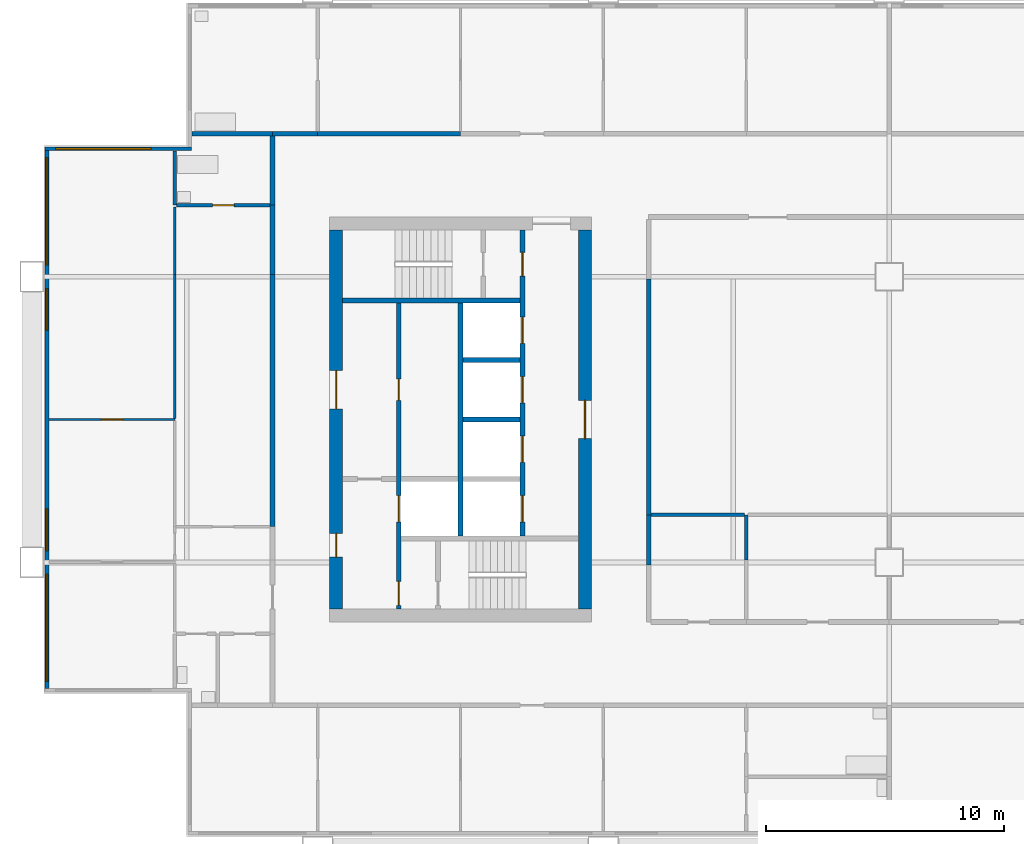
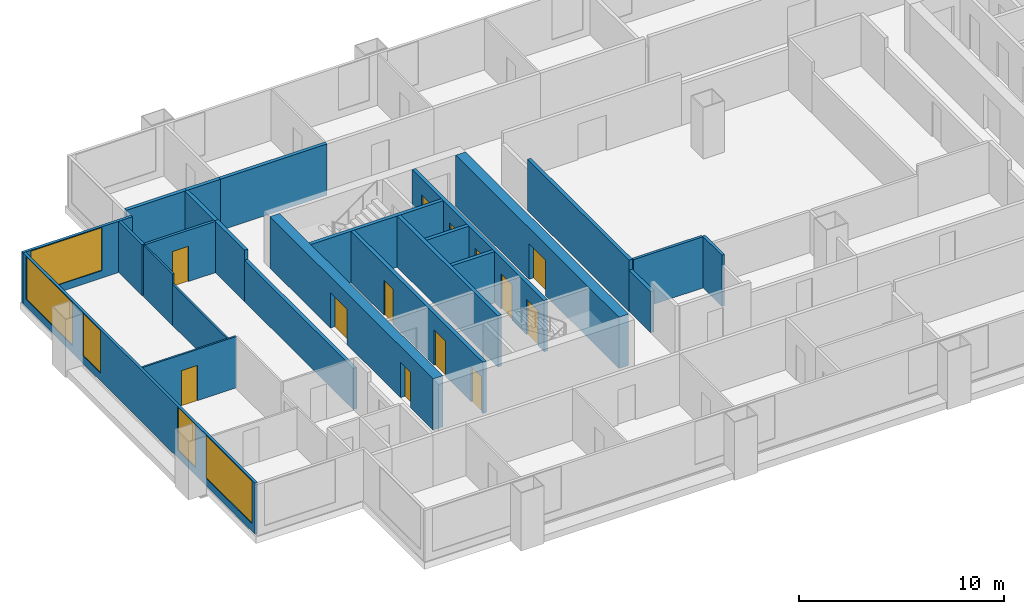
# One storey, part 3 of 8: 25 walls, 13 doors, 5 windows, 18 openings.
"""IFC4 building model written with IfcOpenShell, lengths in metres."""

from ifc_helpers import new_model, si_unit, direction, frame, frame_2d, origin, place, context, subcontext, project, spatial, rectangle, extrude, material, layer, layer_set, type_object, element, fill, save


model = new_model("IFC4")

# Units and contexts
model_context = context("Model", 3, precision=1e-05, world=origin(), true_north=direction((0.0, 1.0)))
body_context = subcontext(model_context, "Body", "Model", "MODEL_VIEW")
ifc_project = project(units=[si_unit("LENGTHUNIT", "METRE"), si_unit("AREAUNIT", "SQUARE_METRE"), si_unit("VOLUMEUNIT", "CUBIC_METRE"), si_unit("PLANEANGLEUNIT", "RADIAN"), si_unit("MASSUNIT", "GRAM", prefix="KILO")], contexts=[model_context])

# Site, building, storey
site_placement = place(None, origin())
site = spatial("IfcSite", under=ifc_project, at=site_placement, CompositionType="ELEMENT")
building_placement = place(site_placement, origin())
building = spatial("IfcBuilding", under=site, at=building_placement, Name="Kitamizu Gate Tower and Museum", CompositionType="ELEMENT")
storey_placement = place(building_placement, frame((0.0, 0.0, 161.699951171875)))
storey = spatial("IfcBuildingStorey", under=building, at=storey_placement, Name="L42", CompositionType="ELEMENT", Elevation=161.699951171875)

# Wall, openings, doors
ifc_material_1 = material(Name="Concrete Fc42", Category="concrete")
ifc_layer_1 = layer(ifc_material_1, 0.550048828125)
ifc_layer_set_1 = layer_set([ifc_layer_1], Name="Concrete Fc42")
wall_type_1 = type_object("IfcWallType", Name="Core wall 550", PredefinedType="SHEAR", material=ifc_layer_set_1)
wall_1_placement = place(storey_placement, frame((12.77490234375, 22.050048828125, 0.0), z_axis=(0.0, 0.0, 1.0), x_axis=(0.0, 1.0, 0.0)))
wall_1 = element("IfcWall", 1, at=wall_1_placement, inside=storey, type_object=wall_type_1, Name="Core wall WOUT", PredefinedType="SHEAR", context=body_context, shape_type="SweptSolid", body=[
    extrude(rectangle(XDim=15.89990234375, YDim=0.550048828125, at=frame_2d((7.949951171875, 0.0))), origin(), (0.0, 0.0, 1.0), 3.050048828125),
])
opening_1_placement = place(wall_1_placement, frame((8.39990234375, 0.0, 0.0)))
opening_1 = element("IfcOpeningElement", 2, at=opening_1_placement, cuts=wall_1, Name="Opening L42-032", PredefinedType="OPENING", context=body_context, shape_type="SweptSolid", body=[
    extrude(rectangle(XDim=1.60009765625, YDim=2.10009765625, at=frame_2d((0.800048828125, 1.050048828125))), frame((0.0, 0.28515625, 0.0), z_axis=(0.0, -1.0, 0.0), x_axis=(1.0, 0.0, 0.0)), (0.0, 0.0, 1.0), 0.570068359375),
])
opening_2_placement = place(wall_1_placement, frame((2.175048828125, 0.0, 0.0)))
opening_2 = element("IfcOpeningElement", 3, at=opening_2_placement, cuts=wall_1, Name="Opening L42-033", PredefinedType="OPENING", context=body_context, shape_type="SweptSolid", body=[
    extrude(rectangle(XDim=1.0, YDim=2.10009765625, at=frame_2d((0.5, 1.050048828125))), frame((0.0, 0.28515625, 0.0), z_axis=(0.0, -1.0, 0.0), x_axis=(1.0, 0.0, 0.0)), (0.0, 0.0, 1.0), 0.570068359375),
])
ifc_material_2 = material(Name="Timber door set", Category="wood")
door_type_1 = type_object("IfcDoorType", Name="Entrance door 1600", OperationType="DOUBLE_DOOR_SINGLE_SWING", PredefinedType="DOOR", material=ifc_material_2)
door_1_placement = place(opening_1_placement, origin())
door_1 = element("IfcDoor", 4, at=door_1_placement, inside=storey, type_object=door_type_1, Name="Lobby door L42-032", OperationType="DOUBLE_DOOR_SINGLE_SWING", OverallHeight=2.10009765625, OverallWidth=1.60009765625, PredefinedType="DOOR", context=body_context, shape_type="SweptSolid", body=[
    extrude(rectangle(XDim=1.60009765625, YDim=2.10009765625, at=frame_2d((0.800048828125, 1.050048828125))), frame((0.0, 0.02490234375, 0.0), z_axis=(0.0, -1.0, 0.0), x_axis=(1.0, 0.0, 0.0)), (0.0, 0.0, 1.0), 0.050048828125),
])
fill(opening_1, door_1)
ifc_material_3 = material(Name="Hollow metal door set")
door_type_2 = type_object("IfcDoorType", Name="Fire door 1000", OperationType="NOTDEFINED", PredefinedType="DOOR", material=ifc_material_3)
door_2_placement = place(opening_2_placement, frame((1.0, 0.0, 0.0), x_axis=(-1.0, 0.0, 0.0)))
door_2 = element("IfcDoor", 5, at=door_2_placement, inside=storey, type_object=door_type_2, Name="Fire-fighting lobby door L42-033", OperationType="SINGLE_SWING_LEFT", OverallHeight=2.10009765625, OverallWidth=1.0, PredefinedType="DOOR", context=body_context, shape_type="SweptSolid", body=[
    extrude(rectangle(XDim=1.0, YDim=2.10009765625, at=frame_2d((0.5, 1.050048828125))), frame((0.0, 0.02490234375, 0.0), z_axis=(0.0, -1.0, 0.0), x_axis=(1.0, 0.0, 0.0)), (0.0, 0.0, 1.0), 0.050048828125),
])
fill(opening_2, door_2)

# Wall, opening, door
wall_2_placement = place(storey_placement, frame((23.22509765625, 22.050048828125, 0.0), z_axis=(0.0, 0.0, 1.0), x_axis=(0.0, 1.0, 0.0)))
wall_2 = element("IfcWall", 6, at=wall_2_placement, inside=storey, type_object=wall_type_1, Name="Core wall WARC", PredefinedType="SHEAR", context=body_context, shape_type="SweptSolid", body=[
    extrude(rectangle(XDim=15.89990234375, YDim=0.550048828125, at=frame_2d((7.949951171875, 0.0))), origin(), (0.0, 0.0, 1.0), 3.050048828125),
])
opening_3_placement = place(wall_2_placement, frame((7.14990234375, 0.0, 0.0)))
opening_3 = element("IfcOpeningElement", 7, at=opening_3_placement, cuts=wall_2, Name="Opening L42-035", PredefinedType="OPENING", context=body_context, shape_type="SweptSolid", body=[
    extrude(rectangle(XDim=1.60009765625, YDim=2.10009765625, at=frame_2d((0.800048828125, 1.050048828125))), frame((0.0, 0.28515625, 0.0), z_axis=(0.0, -1.0, 0.0), x_axis=(1.0, 0.0, 0.0)), (0.0, 0.0, 1.0), 0.570068359375),
])
door_3_placement = place(opening_3_placement, origin())
door_3 = element("IfcDoor", 8, at=door_3_placement, inside=storey, type_object=door_type_1, Name="Lobby door L42-035", OperationType="DOUBLE_DOOR_SINGLE_SWING", OverallHeight=2.10009765625, OverallWidth=1.60009765625, PredefinedType="DOOR", context=body_context, shape_type="SweptSolid", body=[
    extrude(rectangle(XDim=1.60009765625, YDim=2.10009765625, at=frame_2d((0.800048828125, 1.050048828125))), frame((0.0, 0.02490234375, 0.0), z_axis=(0.0, -1.0, 0.0), x_axis=(1.0, 0.0, 0.0)), (0.0, 0.0, 1.0), 0.050048828125),
])
fill(opening_3, door_3)

ifc_material_4 = material(Name="Gypsum board on galvanised stud")
ifc_layer_2 = layer(ifc_material_4, 0.10009765625)
ifc_layer_set_2 = layer_set([ifc_layer_2], Name="Gypsum board on galvanised stud")
wall_type_2 = type_object("IfcWallType", Name="Partition 100 NOT RATED", PredefinedType="PARTITIONING", material=ifc_layer_set_2)
wall_3_placement = place(storey_placement, frame((6.0, 30.0, 0.0), z_axis=(0.0, 0.0, 1.0), x_axis=(-1.0, 0.0, 0.0)))
wall_3 = element("IfcWall", 9, at=wall_3_placement, inside=storey, type_object=wall_type_2, Name="Partition L42-030", PredefinedType="PARTITIONING", context=body_context, shape_type="SweptSolid", body=[
    extrude(rectangle(XDim=5.280029296875, YDim=0.10009765625, at=frame_2d((2.64013671875, 0.0))), origin(), (0.0, 0.0, 1.0), 3.050048828125),
])
opening_4_placement = place(wall_3_placement, frame((2.18994140625, 0.0, 0.0)))
opening_4 = element("IfcOpeningElement", 10, at=opening_4_placement, cuts=wall_3, Name="Opening L42-015", PredefinedType="OPENING", context=body_context, shape_type="SweptSolid", body=[
    extrude(rectangle(XDim=0.89990234375, YDim=2.10009765625, at=frame_2d((0.449951171875, 1.050048828125))), frame((0.0, 0.06005859375, 0.0), z_axis=(0.0, -1.0, 0.0), x_axis=(1.0, 0.0, 0.0)), (0.0, 0.0, 1.0), 0.1201171875),
])
ifc_material_5 = material(Name="Timber door set", Category="wood")
door_type_3 = type_object("IfcDoorType", Name="Room door 900", OperationType="NOTDEFINED", PredefinedType="DOOR", material=ifc_material_5)
door_4_placement = place(opening_4_placement, origin())
door_4 = element("IfcDoor", 11, at=door_4_placement, inside=storey, type_object=door_type_3, Name="Door L42-015", OperationType="SINGLE_SWING_RIGHT", OverallHeight=2.10009765625, OverallWidth=0.89990234375, PredefinedType="DOOR", context=body_context, shape_type="SweptSolid", body=[
    extrude(rectangle(XDim=0.89990234375, YDim=2.10009765625, at=frame_2d((0.449951171875, 1.050048828125))), frame((0.0, 0.02490234375, 0.0), z_axis=(0.0, -1.0, 0.0), x_axis=(1.0, 0.0, 0.0)), (0.0, 0.0, 1.0), 0.050048828125),
])
fill(opening_4, door_4)

# Walls
wall_4_placement = place(storey_placement, frame((6.0, 30.050048828125, 0.0), z_axis=(0.0, 0.0, 1.0), x_axis=(0.0, 1.0, 0.0)))
element("IfcWall", 12, at=wall_4_placement, inside=storey, type_object=wall_type_2, Name="Partition L42-033", PredefinedType="PARTITIONING", context=body_context, shape_type="SweptSolid", body=[
    extrude(rectangle(XDim=6.050048828125, YDim=0.10009765625, at=frame_2d((3.02490234375, 0.0))), origin(), (0.0, 0.0, 1.0), 2.449951171875),
])
wall_5_placement = place(storey_placement, frame((6.0, 36.10009765625, 0.0), z_axis=(0.0, 0.0, 1.0), x_axis=(0.0, 1.0, 0.0)))
element("IfcWall", 13, at=wall_5_placement, inside=storey, type_object=wall_type_2, Name="Partition L42-034", PredefinedType="PARTITIONING", context=body_context, shape_type="SweptSolid", body=[
    extrude(rectangle(XDim=2.824951171875, YDim=0.10009765625, at=frame_2d((1.41259765625, 0.0))), origin(), (0.0, 0.0, 1.0), 3.050048828125),
])
ifc_material_6 = material(Name="Gypsum board on galvanised stud")
ifc_layer_3 = layer(ifc_material_6, 0.14990234375)
ifc_layer_set_3 = layer_set([ifc_layer_3], Name="Gypsum board on galvanised stud")
wall_type_3 = type_object("IfcWallType", Name="Partition 150", PredefinedType="PARTITIONING", material=ifc_layer_set_3)
wall_6_placement = place(storey_placement, frame((6.0, 39.0, 0.0), z_axis=(0.0, 0.0, 1.0), x_axis=(0.0, 1.0, 0.0)))
element("IfcWall", 14, at=wall_6_placement, inside=storey, type_object=wall_type_3, Name="Partition L42-035", PredefinedType="PARTITIONING", context=body_context, shape_type="SweptSolid", body=[
    extrude(rectangle(XDim=2.280029296875, YDim=0.14990234375, at=frame_2d((1.14013671875, 0.0))), origin(), (0.0, 0.0, 1.0), 3.050048828125),
])

# Wall, opening, door
wall_7_placement = place(storey_placement, frame((10.0, 39.0, 0.0), z_axis=(0.0, 0.0, 1.0), x_axis=(-1.0, 0.0, 0.0)))
wall_7 = element("IfcWall", 15, at=wall_7_placement, inside=storey, type_object=wall_type_3, Name="Partition L42-043", PredefinedType="PARTITIONING", context=body_context, shape_type="SweptSolid", body=[
    extrude(rectangle(XDim=3.925048828125, YDim=0.14990234375, at=frame_2d((1.96240234375, 0.0))), origin(), (0.0, 0.0, 1.0), 3.050048828125),
])
opening_5_placement = place(wall_7_placement, frame((1.512451171875, 0.0, 0.0)))
opening_5 = element("IfcOpeningElement", 16, at=opening_5_placement, cuts=wall_7, Name="Opening L42-019", PredefinedType="OPENING", context=body_context, shape_type="SweptSolid", body=[
    extrude(rectangle(XDim=0.89990234375, YDim=2.10009765625, at=frame_2d((0.449951171875, 1.050048828125))), frame((0.0, 0.0849609375, 0.0), z_axis=(0.0, -1.0, 0.0), x_axis=(1.0, 0.0, 0.0)), (0.0, 0.0, 1.0), 0.169921875),
])
ifc_material_7 = material(Name="Timber door set", Category="wood")
door_type_4 = type_object("IfcDoorType", Name="Bathroom door 900", OperationType="NOTDEFINED", PredefinedType="DOOR", material=ifc_material_7)
door_5_placement = place(opening_5_placement, frame((0.89990234375, 0.0, 0.0), x_axis=(-1.0, 0.0, 0.0)))
door_5 = element("IfcDoor", 17, at=door_5_placement, inside=storey, type_object=door_type_4, Name="Bathroom door L42-019", OperationType="SINGLE_SWING_LEFT", OverallHeight=2.10009765625, OverallWidth=0.89990234375, PredefinedType="DOOR", context=body_context, shape_type="SweptSolid", body=[
    extrude(rectangle(XDim=0.89990234375, YDim=2.10009765625, at=frame_2d((0.449951171875, 1.050048828125))), frame((0.0, 0.02490234375, 0.0), z_axis=(0.0, -1.0, 0.0), x_axis=(1.0, 0.0, 0.0)), (0.0, 0.0, 1.0), 0.050048828125),
])
fill(opening_5, door_5)

# Walls
wall_8_placement = place(storey_placement, frame((30.0, 24.10009765625, 0.0), z_axis=(0.0, 0.0, 1.0), x_axis=(0.0, 1.0, 0.0)))
element("IfcWall", 18, at=wall_8_placement, inside=storey, type_object=wall_type_3, Name="Partition L42-064", PredefinedType="PARTITIONING", context=body_context, shape_type="SweptSolid", body=[
    extrude(rectangle(XDim=1.89990234375, YDim=0.14990234375, at=frame_2d((0.949951171875, 0.0))), origin(), (0.0, 0.0, 1.0), 3.050048828125),
])
wall_9_placement = place(storey_placement, frame((29.925048828125, 26.0, 0.0), z_axis=(0.0, 0.0, 1.0), x_axis=(-1.0, 0.0, 0.0)))
element("IfcWall", 19, at=wall_9_placement, inside=storey, type_object=wall_type_3, Name="Partition L42-065", PredefinedType="PARTITIONING", context=body_context, shape_type="SweptSolid", body=[
    extrude(rectangle(XDim=3.925048828125, YDim=0.14990234375, at=frame_2d((1.96240234375, 0.0))), origin(), (0.0, 0.0, 1.0), 3.050048828125),
])
ifc_material_8 = material(Name="Gypsum board on galvanised stud")
ifc_layer_4 = layer(ifc_material_8, 0.199951171875)
ifc_layer_set_4 = layer_set([ifc_layer_4], Name="Gypsum board on galvanised stud")
wall_type_4 = type_object("IfcWallType", Name="Partition 200", PredefinedType="PARTITIONING", material=ifc_layer_set_4)
wall_10_placement = place(storey_placement, frame((6.719970703125, 42.0, 0.0), z_axis=(0.0, 0.0, 1.0), x_axis=(1.0, 0.0, 0.0)))
element("IfcWall", 20, at=wall_10_placement, inside=storey, type_object=wall_type_4, Name="Partition L42-017", PredefinedType="PARTITIONING", context=body_context, shape_type="SweptSolid", body=[
    extrude(rectangle(XDim=3.380126953125, YDim=0.199951171875, at=frame_2d((1.68994140625, 0.0))), origin(), (0.0, 0.0, 1.0), 3.050048828125),
])
wall_11_placement = place(storey_placement, frame((10.10009765625, 42.0, 0.0), z_axis=(0.0, 0.0, 1.0), x_axis=(1.0, 0.0, 0.0)))
element("IfcWall", 21, at=wall_11_placement, inside=storey, type_object=wall_type_4, Name="Partition L42-018", PredefinedType="PARTITIONING", context=body_context, shape_type="SweptSolid", body=[
    extrude(rectangle(XDim=1.89990234375, YDim=0.199951171875, at=frame_2d((0.949951171875, 0.0))), origin(), (0.0, 0.0, 1.0), 3.050048828125),
])
wall_12_placement = place(storey_placement, frame((12.0, 42.0, 0.0), z_axis=(0.0, 0.0, 1.0), x_axis=(1.0, 0.0, 0.0)))
element("IfcWall", 22, at=wall_12_placement, inside=storey, type_object=wall_type_4, Name="Partition L42-020", PredefinedType="PARTITIONING", context=body_context, shape_type="SweptSolid", body=[
    extrude(rectangle(XDim=6.0, YDim=0.199951171875, at=frame_2d((3.0, 0.0))), origin(), (0.0, 0.0, 1.0), 3.050048828125),
])
wall_13_placement = place(storey_placement, frame((10.10009765625, 25.5, 0.0), z_axis=(0.0, 0.0, 1.0), x_axis=(0.0, 1.0, 0.0)))
element("IfcWall", 23, at=wall_13_placement, inside=storey, type_object=wall_type_4, Name="Partition L42-044", PredefinedType="PARTITIONING", context=body_context, shape_type="SweptSolid", body=[
    extrude(rectangle(XDim=10.60009765625, YDim=0.199951171875, at=frame_2d((5.300048828125, 0.0))), origin(), (0.0, 0.0, 1.0), 2.449951171875),
])
for number, where, z_axis, x_axis, name in (
    (24, (10.10009765625, 36.10009765625, 0.0), (0.0, 0.0, 1.0), (0.0, 1.0, 0.0), "Partition L42-045"),
    (25, (10.10009765625, 39.0, 0.0), (0.0, 0.0, 1.0), (0.0, 1.0, 0.0), "Partition L42-046"),
):
    element("IfcWall", number, at=place(storey_placement, frame(where, z_axis=z_axis, x_axis=x_axis)), inside=storey, type_object=wall_type_4, Name=name, PredefinedType="PARTITIONING", context=body_context, shape_type="SweptSolid", body=[
        extrude(rectangle(XDim=2.89990234375, YDim=0.199951171875, at=frame_2d((1.449951171875, 0.0))), origin(), (0.0, 0.0, 1.0), 3.050048828125),
    ])
wall_14_placement = place(storey_placement, frame((25.89990234375, 26.0, 0.0), z_axis=(0.0, 0.0, 1.0), x_axis=(0.0, -1.0, 0.0)))
element("IfcWall", 26, at=wall_14_placement, inside=storey, type_object=wall_type_4, Name="Partition L42-049", PredefinedType="PARTITIONING", context=body_context, shape_type="SweptSolid", body=[
    extrude(rectangle(XDim=2.10009765625, YDim=0.199951171875, at=frame_2d((1.050048828125, 0.0))), origin(), (0.0, 0.0, 1.0), 2.449951171875),
])
wall_15_placement = place(storey_placement, frame((25.89990234375, 35.89990234375, 0.0), z_axis=(0.0, 0.0, 1.0), x_axis=(0.0, -1.0, 0.0)))
element("IfcWall", 27, at=wall_15_placement, inside=storey, type_object=wall_type_4, Name="Partition L42-059", PredefinedType="PARTITIONING", context=body_context, shape_type="SweptSolid", body=[
    extrude(rectangle(XDim=9.89990234375, YDim=0.199951171875, at=frame_2d((4.949951171875, 0.0))), origin(), (0.0, 0.0, 1.0), 3.050048828125),
])

# Wall, openings, doors
ifc_material_9 = material(Name="Concrete Fc42", Category="concrete")
ifc_layer_5 = layer(ifc_material_9, 0.199951171875)
ifc_layer_set_5 = layer_set([ifc_layer_5], Name="Concrete Fc42")
wall_type_5 = type_object("IfcWallType", Name="Shaft wall 200", PredefinedType="SOLIDWALL", material=ifc_layer_set_5)
wall_16_placement = place(storey_placement, frame((15.39990234375, 22.050048828125, 0.0), z_axis=(0.0, 0.0, 1.0), x_axis=(0.0, 1.0, 0.0)))
wall_16 = element("IfcWall", 28, at=wall_16_placement, inside=storey, type_object=wall_type_5, Name="Shaft wall WWEST", PredefinedType="SOLIDWALL", context=body_context, shape_type="SweptSolid", body=[
    extrude(rectangle(XDim=12.849853515625, YDim=0.199951171875, at=frame_2d((6.4248046875, 0.0))), origin(), (0.0, 0.0, 1.0), 3.050048828125),
])
opening_6_placement = place(wall_16_placement, frame((3.64990234375, 0.0, 0.0)))
opening_6 = element("IfcOpeningElement", 29, at=opening_6_placement, cuts=wall_16, Name="Opening LD", PredefinedType="OPENING", context=body_context, shape_type="SweptSolid", body=[
    extrude(rectangle(XDim=1.10009765625, YDim=2.10009765625, at=frame_2d((0.550048828125, 1.050048828125))), frame((0.0, 0.10986328125, 0.0), z_axis=(0.0, -1.0, 0.0), x_axis=(1.0, 0.0, 0.0)), (0.0, 0.0, 1.0), 0.219970703125),
])
opening_7_placement = place(wall_16_placement, frame((0.14990234375, 0.0, 0.0)))
opening_7 = element("IfcOpeningElement", 30, at=opening_7_placement, cuts=wall_16, Name="Opening L42-028", PredefinedType="OPENING", context=body_context, shape_type="SweptSolid", body=[
    extrude(rectangle(XDim=1.0, YDim=2.10009765625, at=frame_2d((0.5, 1.050048828125))), frame((0.0, 0.10986328125, 0.0), z_axis=(0.0, -1.0, 0.0), x_axis=(1.0, 0.0, 0.0)), (0.0, 0.0, 1.0), 0.219970703125),
])
opening_8_placement = place(wall_16_placement, frame((8.75, 0.0, 0.0)))
opening_8 = element("IfcOpeningElement", 31, at=opening_8_placement, cuts=wall_16, Name="Opening L42-036", PredefinedType="OPENING", context=body_context, shape_type="SweptSolid", body=[
    extrude(rectangle(XDim=0.89990234375, YDim=2.10009765625, at=frame_2d((0.449951171875, 1.050048828125))), frame((0.0, 0.10986328125, 0.0), z_axis=(0.0, -1.0, 0.0), x_axis=(1.0, 0.0, 0.0)), (0.0, 0.0, 1.0), 0.219970703125),
])
door_6_placement = place(opening_7_placement, frame((1.0, 0.0, 0.0), x_axis=(-1.0, 0.0, 0.0)))
door_6 = element("IfcDoor", 32, at=door_6_placement, inside=storey, type_object=door_type_2, Name="Stair lobby door L42-028", OperationType="SINGLE_SWING_LEFT", OverallHeight=2.10009765625, OverallWidth=1.0, PredefinedType="DOOR", context=body_context, shape_type="SweptSolid", body=[
    extrude(rectangle(XDim=1.0, YDim=2.10009765625, at=frame_2d((0.5, 1.050048828125))), frame((0.0, 0.02490234375, 0.0), z_axis=(0.0, -1.0, 0.0), x_axis=(1.0, 0.0, 0.0)), (0.0, 0.0, 1.0), 0.050048828125),
])
fill(opening_7, door_6)
ifc_material_10 = material(Name="Hollow metal door set")
door_type_5 = type_object("IfcDoorType", Name="Landing door 1100", OperationType="SLIDING_TO_LEFT", PredefinedType="DOOR", material=ifc_material_10)
door_7_placement = place(opening_6_placement, origin())
door_7 = element("IfcDoor", 33, at=door_7_placement, inside=storey, type_object=door_type_5, Name="Landing door WFF1", OperationType="SLIDING_TO_LEFT", OverallHeight=2.10009765625, OverallWidth=1.10009765625, PredefinedType="DOOR", context=body_context, shape_type="SweptSolid", body=[
    extrude(rectangle(XDim=1.10009765625, YDim=2.10009765625, at=frame_2d((0.550048828125, 1.050048828125))), frame((0.0, 0.02490234375, 0.0), z_axis=(0.0, -1.0, 0.0), x_axis=(1.0, 0.0, 0.0)), (0.0, 0.0, 1.0), 0.050048828125),
])
fill(opening_6, door_7)
ifc_material_11 = material(Name="Timber door set", Category="wood")
door_type_6 = type_object("IfcDoorType", Name="Service door 900", OperationType="NOTDEFINED", PredefinedType="DOOR", material=ifc_material_11)
door_8_placement = place(opening_8_placement, frame((0.89990234375, 0.0, 0.0), x_axis=(-1.0, 0.0, 0.0)))
door_8 = element("IfcDoor", 34, at=door_8_placement, inside=storey, type_object=door_type_6, Name="Service door L42-036", OperationType="SINGLE_SWING_RIGHT", OverallHeight=2.10009765625, OverallWidth=0.89990234375, PredefinedType="DOOR", context=body_context, shape_type="SweptSolid", body=[
    extrude(rectangle(XDim=0.89990234375, YDim=2.10009765625, at=frame_2d((0.449951171875, 1.050048828125))), frame((0.0, 0.02490234375, 0.0), z_axis=(0.0, -1.0, 0.0), x_axis=(1.0, 0.0, 0.0)), (0.0, 0.0, 1.0), 0.050048828125),
])
fill(opening_8, door_8)

wall_17_placement = place(storey_placement, frame((20.60009765625, 25.10009765625, 0.0), z_axis=(0.0, 0.0, 1.0), x_axis=(0.0, 1.0, 0.0)))
wall_17 = element("IfcWall", 35, at=wall_17_placement, inside=storey, type_object=wall_type_5, Name="Shaft wall WEAST", PredefinedType="SOLIDWALL", context=body_context, shape_type="SweptSolid", body=[
    extrude(rectangle(XDim=12.849853515625, YDim=0.199951171875, at=frame_2d((6.4248046875, 0.0))), origin(), (0.0, 0.0, 1.0), 3.050048828125),
])
opening_9_placement = place(wall_17_placement, frame((0.60009765625, 0.0, 0.0)))
opening_9 = element("IfcOpeningElement", 36, at=opening_9_placement, cuts=wall_17, Name="Opening LD", PredefinedType="OPENING", context=body_context, shape_type="SweptSolid", body=[
    extrude(rectangle(XDim=1.10009765625, YDim=2.10009765625, at=frame_2d((0.550048828125, 1.050048828125))), frame((0.0, 0.10986328125, 0.0), z_axis=(0.0, -1.0, 0.0), x_axis=(1.0, 0.0, 0.0)), (0.0, 0.0, 1.0), 0.219970703125),
])
opening_10_placement = place(wall_17_placement, frame((3.10009765625, 0.0, 0.0)))
opening_10 = element("IfcOpeningElement", 37, at=opening_10_placement, cuts=wall_17, Name="Opening LD", PredefinedType="OPENING", context=body_context, shape_type="SweptSolid", body=[
    extrude(rectangle(XDim=1.10009765625, YDim=2.10009765625, at=frame_2d((0.550048828125, 1.050048828125))), frame((0.0, 0.10986328125, 0.0), z_axis=(0.0, -1.0, 0.0), x_axis=(1.0, 0.0, 0.0)), (0.0, 0.0, 1.0), 0.219970703125),
])
opening_11_placement = place(wall_17_placement, frame((5.60009765625, 0.0, 0.0)))
opening_11 = element("IfcOpeningElement", 38, at=opening_11_placement, cuts=wall_17, Name="Opening LD", PredefinedType="OPENING", context=body_context, shape_type="SweptSolid", body=[
    extrude(rectangle(XDim=1.10009765625, YDim=2.10009765625, at=frame_2d((0.550048828125, 1.050048828125))), frame((0.0, 0.10986328125, 0.0), z_axis=(0.0, -1.0, 0.0), x_axis=(1.0, 0.0, 0.0)), (0.0, 0.0, 1.0), 0.219970703125),
])
opening_12_placement = place(wall_17_placement, frame((8.10009765625, 0.0, 0.0)))
opening_12 = element("IfcOpeningElement", 39, at=opening_12_placement, cuts=wall_17, Name="Opening LD", PredefinedType="OPENING", context=body_context, shape_type="SweptSolid", body=[
    extrude(rectangle(XDim=1.10009765625, YDim=2.10009765625, at=frame_2d((0.550048828125, 1.050048828125))), frame((0.0, 0.10986328125, 0.0), z_axis=(0.0, -1.0, 0.0), x_axis=(1.0, 0.0, 0.0)), (0.0, 0.0, 1.0), 0.219970703125),
])
opening_13_placement = place(wall_17_placement, frame((10.925048828125, 0.0, 0.0)))
opening_13 = element("IfcOpeningElement", 40, at=opening_13_placement, cuts=wall_17, Name="Opening L42-029", PredefinedType="OPENING", context=body_context, shape_type="SweptSolid", body=[
    extrude(rectangle(XDim=1.0, YDim=2.10009765625, at=frame_2d((0.5, 1.050048828125))), frame((0.0, 0.10986328125, 0.0), z_axis=(0.0, -1.0, 0.0), x_axis=(1.0, 0.0, 0.0)), (0.0, 0.0, 1.0), 0.219970703125),
])
door_9_placement = place(opening_13_placement, origin())
door_9 = element("IfcDoor", 41, at=door_9_placement, inside=storey, type_object=door_type_2, Name="Stair lobby door L42-029", OperationType="SINGLE_SWING_LEFT", OverallHeight=2.10009765625, OverallWidth=1.0, PredefinedType="DOOR", context=body_context, shape_type="SweptSolid", body=[
    extrude(rectangle(XDim=1.0, YDim=2.10009765625, at=frame_2d((0.5, 1.050048828125))), frame((0.0, 0.02490234375, 0.0), z_axis=(0.0, -1.0, 0.0), x_axis=(1.0, 0.0, 0.0)), (0.0, 0.0, 1.0), 0.050048828125),
])
fill(opening_13, door_9)
door_10_placement = place(opening_9_placement, origin())
door_10 = element("IfcDoor", 42, at=door_10_placement, inside=storey, type_object=door_type_5, Name="Landing door WSV1", OperationType="SLIDING_TO_LEFT", OverallHeight=2.10009765625, OverallWidth=1.10009765625, PredefinedType="DOOR", context=body_context, shape_type="SweptSolid", body=[
    extrude(rectangle(XDim=1.10009765625, YDim=2.10009765625, at=frame_2d((0.550048828125, 1.050048828125))), frame((0.0, 0.02490234375, 0.0), z_axis=(0.0, -1.0, 0.0), x_axis=(1.0, 0.0, 0.0)), (0.0, 0.0, 1.0), 0.050048828125),
])
fill(opening_9, door_10)
door_11_placement = place(opening_10_placement, origin())
door_11 = element("IfcDoor", 43, at=door_11_placement, inside=storey, type_object=door_type_5, Name="Landing door WH1", OperationType="SLIDING_TO_LEFT", OverallHeight=2.10009765625, OverallWidth=1.10009765625, PredefinedType="DOOR", context=body_context, shape_type="SweptSolid", body=[
    extrude(rectangle(XDim=1.10009765625, YDim=2.10009765625, at=frame_2d((0.550048828125, 1.050048828125))), frame((0.0, 0.02490234375, 0.0), z_axis=(0.0, -1.0, 0.0), x_axis=(1.0, 0.0, 0.0)), (0.0, 0.0, 1.0), 0.050048828125),
])
fill(opening_10, door_11)
door_12_placement = place(opening_11_placement, origin())
door_12 = element("IfcDoor", 44, at=door_12_placement, inside=storey, type_object=door_type_5, Name="Landing door WH2", OperationType="SLIDING_TO_LEFT", OverallHeight=2.10009765625, OverallWidth=1.10009765625, PredefinedType="DOOR", context=body_context, shape_type="SweptSolid", body=[
    extrude(rectangle(XDim=1.10009765625, YDim=2.10009765625, at=frame_2d((0.550048828125, 1.050048828125))), frame((0.0, 0.02490234375, 0.0), z_axis=(0.0, -1.0, 0.0), x_axis=(1.0, 0.0, 0.0)), (0.0, 0.0, 1.0), 0.050048828125),
])
fill(opening_11, door_12)
door_13_placement = place(opening_12_placement, origin())
door_13 = element("IfcDoor", 45, at=door_13_placement, inside=storey, type_object=door_type_5, Name="Landing door WH3", OperationType="SLIDING_TO_LEFT", OverallHeight=2.10009765625, OverallWidth=1.10009765625, PredefinedType="DOOR", context=body_context, shape_type="SweptSolid", body=[
    extrude(rectangle(XDim=1.10009765625, YDim=2.10009765625, at=frame_2d((0.550048828125, 1.050048828125))), frame((0.0, 0.02490234375, 0.0), z_axis=(0.0, -1.0, 0.0), x_axis=(1.0, 0.0, 0.0)), (0.0, 0.0, 1.0), 0.050048828125),
])
fill(opening_12, door_13)

# Walls
wall_18_placement = place(storey_placement, frame((18.0, 25.10009765625, 0.0), z_axis=(0.0, 0.0, 1.0), x_axis=(0.0, 1.0, 0.0)))
element("IfcWall", 46, at=wall_18_placement, inside=storey, type_object=wall_type_5, Name="Shaft wall WMID", PredefinedType="SOLIDWALL", context=body_context, shape_type="SweptSolid", body=[
    extrude(rectangle(XDim=9.7998046875, YDim=0.199951171875, at=frame_2d((4.89990234375, 0.0))), origin(), (0.0, 0.0, 1.0), 3.050048828125),
])
wall_19_placement = place(storey_placement, frame((13.050048828125, 35.0, 0.0), z_axis=(0.0, 0.0, 1.0), x_axis=(1.0, 0.0, 0.0)))
element("IfcWall", 47, at=wall_19_placement, inside=storey, type_object=wall_type_5, Name="Shaft wall WNB", PredefinedType="SOLIDWALL", context=body_context, shape_type="SweptSolid", body=[
    extrude(rectangle(XDim=7.449951171875, YDim=0.199951171875, at=frame_2d((3.72509765625, 0.0))), origin(), (0.0, 0.0, 1.0), 3.050048828125),
])
for number, where, z_axis, x_axis, name in (
    (48, (18.10009765625, 30.0, 0.0), (0.0, 0.0, 1.0), (1.0, 0.0, 0.0), "Shaft wall WDVE1"),
    (49, (18.10009765625, 32.5, 0.0), (0.0, 0.0, 1.0), (1.0, 0.0, 0.0), "Shaft wall WDVE2"),
):
    element("IfcWall", number, at=place(storey_placement, frame(where, z_axis=z_axis, x_axis=x_axis)), inside=storey, type_object=wall_type_5, Name=name, PredefinedType="SOLIDWALL", context=body_context, shape_type="SweptSolid", body=[
        extrude(rectangle(XDim=2.39990234375, YDim=0.199951171875, at=frame_2d((1.199951171875, 0.0))), origin(), (0.0, 0.0, 1.0), 3.050048828125),
    ])

# Wall, opening, window
ifc_material_12 = material(Name="Bronze anodised aluminium frame with insulated spandrel and tinted glass", Category="aluminium")
ifc_layer_6 = layer(ifc_material_12, 0.14990234375)
ifc_layer_set_6 = layer_set([ifc_layer_6], Name="Bronze anodised aluminium frame with insulated spandrel and tinted glass")
wall_type_6 = type_object("IfcWallType", Name="WINDOW WALL 150 BRONZE FRAME EI 30", PredefinedType="ELEMENTEDWALL", material=ifc_layer_set_6)
wall_20_placement = place(storey_placement, frame((0.56005859375, 41.364990234375, 0.0), z_axis=(0.0, 0.0, 1.0), x_axis=(1.0, 0.0, 0.0)))
wall_20 = element("IfcWall", 50, at=wall_20_placement, inside=storey, type_object=wall_type_6, Name="Window wall north L42", PredefinedType="ELEMENTEDWALL", context=body_context, shape_type="SweptSolid", body=[
    extrude(rectangle(XDim=6.14990234375, YDim=0.14990234375, at=frame_2d((3.074951171875, 0.0))), origin(), (0.0, 0.0, 1.0), 3.050048828125),
])
opening_14_placement = place(wall_20_placement, frame((0.43994140625, 0.0, 0.449951171875)))
opening_14 = element("IfcOpeningElement", 51, at=opening_14_placement, cuts=wall_20, Name="Opening W16", PredefinedType="OPENING", context=body_context, shape_type="SweptSolid", body=[
    extrude(rectangle(XDim=4.0, YDim=2.550048828125, at=frame_2d((2.0, 1.27490234375))), frame((0.0, 0.0849609375, 0.0), z_axis=(0.0, -1.0, 0.0), x_axis=(1.0, 0.0, 0.0)), (0.0, 0.0, 1.0), 0.169921875),
])
ifc_material_13 = material(Name="Bronze anodised aluminium frame, tinted triple glazing", Category="aluminium")
window_type_1 = type_object("IfcWindowType", Name="WINDOW 4000 x 2550 SILL 450", PartitioningType="SINGLE_PANEL", PredefinedType="WINDOW", material=ifc_material_13)
window_1_placement = place(opening_14_placement, origin())
window_1 = element("IfcWindow", 52, at=window_1_placement, inside=storey, type_object=window_type_1, Name="Window W16 L42", OverallHeight=2.550048828125, OverallWidth=4.0, PartitioningType="SINGLE_PANEL", PredefinedType="WINDOW", context=body_context, shape_type="SweptSolid", body=[
    extrude(rectangle(XDim=4.0, YDim=2.550048828125, at=frame_2d((2.0, 1.27490234375))), frame((0.0, 0.030029296875, 0.0), z_axis=(0.0, -1.0, 0.0), x_axis=(1.0, 0.0, 0.0)), (0.0, 0.0, 1.0), 0.06005859375),
])
fill(opening_14, window_1)

# Wall, openings, windows
wall_21_placement = place(storey_placement, frame((0.635009765625, 18.7099609375, 0.0), z_axis=(0.0, 0.0, 1.0), x_axis=(0.0, 1.0, 0.0)))
wall_21 = element("IfcWall", 53, at=wall_21_placement, inside=storey, type_object=wall_type_6, Name="Window wall west L42", PredefinedType="ELEMENTEDWALL", context=body_context, shape_type="SweptSolid", body=[
    extrude(rectangle(XDim=22.580078125, YDim=0.14990234375, at=frame_2d((11.2900390625, 0.0))), origin(), (0.0, 0.0, 1.0), 3.050048828125),
])
opening_15_placement = place(wall_21_placement, frame((0.2900390625, 0.0, 0.449951171875)))
opening_15 = element("IfcOpeningElement", 54, at=opening_15_placement, cuts=wall_21, Name="Opening W15", PredefinedType="OPENING", context=body_context, shape_type="SweptSolid", body=[
    extrude(rectangle(XDim=4.5, YDim=2.550048828125, at=frame_2d((2.25, 1.27490234375))), frame((0.0, 0.0849609375, 0.0), z_axis=(0.0, -1.0, 0.0), x_axis=(1.0, 0.0, 0.0)), (0.0, 0.0, 1.0), 0.169921875),
])
opening_16_placement = place(wall_21_placement, frame((5.7900390625, 0.0, 0.449951171875)))
opening_16 = element("IfcOpeningElement", 55, at=opening_16_placement, cuts=wall_21, Name="Opening W29", PredefinedType="OPENING", context=body_context, shape_type="SweptSolid", body=[
    extrude(rectangle(XDim=1.75, YDim=2.550048828125, at=frame_2d((0.875, 1.27490234375))), frame((0.0, 0.0849609375, 0.0), z_axis=(0.0, -1.0, 0.0), x_axis=(1.0, 0.0, 0.0)), (0.0, 0.0, 1.0), 0.169921875),
])
opening_17_placement = place(wall_21_placement, frame((15.0400390625, 0.0, 0.449951171875)))
opening_17 = element("IfcOpeningElement", 56, at=opening_17_placement, cuts=wall_21, Name="Opening W29", PredefinedType="OPENING", context=body_context, shape_type="SweptSolid", body=[
    extrude(rectangle(XDim=1.75, YDim=2.550048828125, at=frame_2d((0.875, 1.27490234375))), frame((0.0, 0.0849609375, 0.0), z_axis=(0.0, -1.0, 0.0), x_axis=(1.0, 0.0, 0.0)), (0.0, 0.0, 1.0), 0.169921875),
])
opening_18_placement = place(wall_21_placement, frame((17.7900390625, 0.0, 0.449951171875)))
opening_18 = element("IfcOpeningElement", 57, at=opening_18_placement, cuts=wall_21, Name="Opening W15", PredefinedType="OPENING", context=body_context, shape_type="SweptSolid", body=[
    extrude(rectangle(XDim=4.5, YDim=2.550048828125, at=frame_2d((2.25, 1.27490234375))), frame((0.0, 0.0849609375, 0.0), z_axis=(0.0, -1.0, 0.0), x_axis=(1.0, 0.0, 0.0)), (0.0, 0.0, 1.0), 0.169921875),
])
ifc_material_14 = material(Name="Bronze anodised aluminium frame, tinted triple glazing", Category="aluminium")
window_type_2 = type_object("IfcWindowType", Name="WINDOW 1750 x 2550 SILL 450", PartitioningType="SINGLE_PANEL", PredefinedType="WINDOW", material=ifc_material_14)
window_2_placement = place(opening_16_placement, origin())
window_2 = element("IfcWindow", 58, at=window_2_placement, inside=storey, type_object=window_type_2, Name="Window W29 L42", OverallHeight=2.550048828125, OverallWidth=1.75, PartitioningType="SINGLE_PANEL", PredefinedType="WINDOW", context=body_context, shape_type="SweptSolid", body=[
    extrude(rectangle(XDim=1.75, YDim=2.550048828125, at=frame_2d((0.875, 1.27490234375))), frame((0.0, 0.030029296875, 0.0), z_axis=(0.0, -1.0, 0.0), x_axis=(1.0, 0.0, 0.0)), (0.0, 0.0, 1.0), 0.06005859375),
])
fill(opening_16, window_2)
window_3_placement = place(opening_17_placement, origin())
window_3 = element("IfcWindow", 59, at=window_3_placement, inside=storey, type_object=window_type_2, Name="Window W29 L42", OverallHeight=2.550048828125, OverallWidth=1.75, PartitioningType="SINGLE_PANEL", PredefinedType="WINDOW", context=body_context, shape_type="SweptSolid", body=[
    extrude(rectangle(XDim=1.75, YDim=2.550048828125, at=frame_2d((0.875, 1.27490234375))), frame((0.0, 0.030029296875, 0.0), z_axis=(0.0, -1.0, 0.0), x_axis=(1.0, 0.0, 0.0)), (0.0, 0.0, 1.0), 0.06005859375),
])
fill(opening_17, window_3)
ifc_material_15 = material(Name="Bronze anodised aluminium frame, tinted triple glazing", Category="aluminium")
window_type_3 = type_object("IfcWindowType", Name="WINDOW 4500 x 2550 SILL 450", PartitioningType="SINGLE_PANEL", PredefinedType="WINDOW", material=ifc_material_15)
window_4_placement = place(opening_15_placement, origin())
window_4 = element("IfcWindow", 60, at=window_4_placement, inside=storey, type_object=window_type_3, Name="Window W15 L42", OverallHeight=2.550048828125, OverallWidth=4.5, PartitioningType="SINGLE_PANEL", PredefinedType="WINDOW", context=body_context, shape_type="SweptSolid", body=[
    extrude(rectangle(XDim=4.5, YDim=2.550048828125, at=frame_2d((2.25, 1.27490234375))), frame((0.0, 0.030029296875, 0.0), z_axis=(0.0, -1.0, 0.0), x_axis=(1.0, 0.0, 0.0)), (0.0, 0.0, 1.0), 0.06005859375),
])
fill(opening_15, window_4)
window_5_placement = place(opening_18_placement, origin())
window_5 = element("IfcWindow", 61, at=window_5_placement, inside=storey, type_object=window_type_3, Name="Window W15 L42", OverallHeight=2.550048828125, OverallWidth=4.5, PartitioningType="SINGLE_PANEL", PredefinedType="WINDOW", context=body_context, shape_type="SweptSolid", body=[
    extrude(rectangle(XDim=4.5, YDim=2.550048828125, at=frame_2d((2.25, 1.27490234375))), frame((0.0, 0.030029296875, 0.0), z_axis=(0.0, -1.0, 0.0), x_axis=(1.0, 0.0, 0.0)), (0.0, 0.0, 1.0), 0.06005859375),
])
fill(opening_18, window_5)

save(model, "model.ifc")
